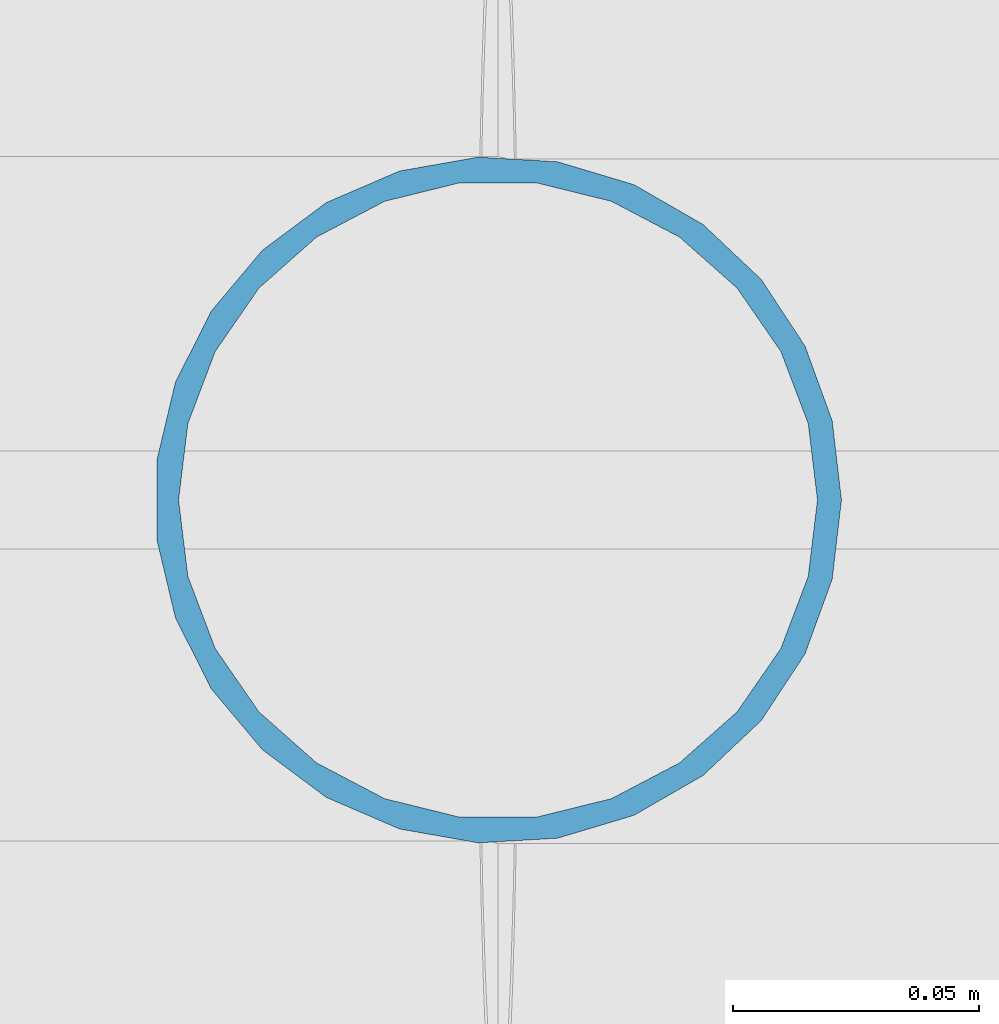
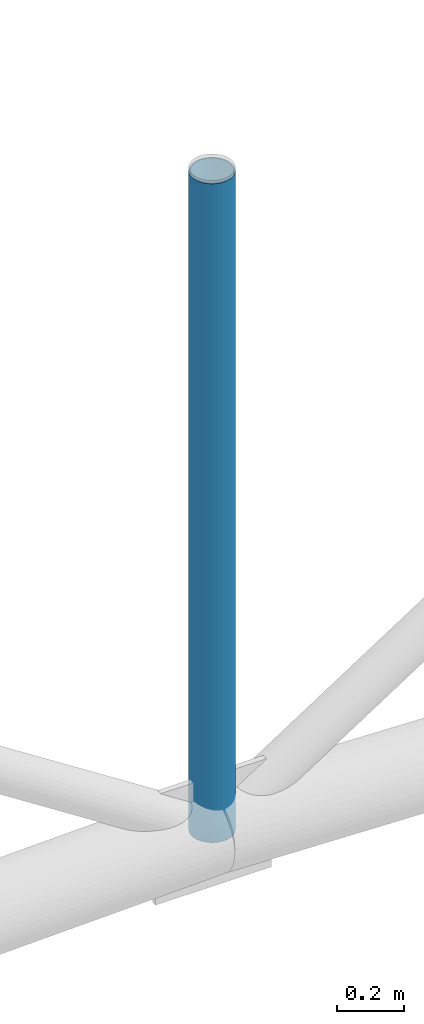
# One storey, part 125 of 321: 1 member.
"""IFC4 building model written with IfcOpenShell, lengths in metres."""

from ifc_helpers import new_model, si_unit, direction, frame, origin, origin_2d, place, context, subcontext, project, spatial, hollow_circle, extrude, material, material_profile, profile_set, type_object, element, save


model = new_model("IFC4")

# Units and contexts
model_context = context("Model", 3, precision=1e-05, world=origin(), true_north=direction((0.0, 1.0)))
body_context = subcontext(model_context, "Body", "Model", "MODEL_VIEW")
ifc_project = project(units=[si_unit("LENGTHUNIT", "METRE"), si_unit("AREAUNIT", "SQUARE_METRE"), si_unit("VOLUMEUNIT", "CUBIC_METRE"), si_unit("PLANEANGLEUNIT", "RADIAN"), si_unit("MASSUNIT", "GRAM", prefix="KILO")], contexts=[model_context])

# Site, building, storey
site_placement = place(None, origin())
site = spatial("IfcSite", under=ifc_project, at=site_placement, CompositionType="ELEMENT")
building_placement = place(site_placement, origin())
building = spatial("IfcBuilding", under=site, at=building_placement, Name="Ravi Spectrum Wholesale Market", CompositionType="ELEMENT")
storey_placement = place(building_placement, frame((0.0, 0.0, 10.800048828125)))
storey = spatial("IfcBuildingStorey", under=building, at=storey_placement, Name="L02", CompositionType="ELEMENT", Elevation=10.800048828125)

# Member
ifc_material = material(Name="Steel S355", Category="steel")
ifc_material_profile = material_profile(ifc_material, hollow_circle(Radius=0.06982421875, WallThickness=0.0048828125, at=origin_2d()))
ifc_profile_set = profile_set([ifc_material_profile], Name="Steel S355")
member_type = type_object("IfcMemberType", Name="CHS 139.7x5 post", PredefinedType="POST", material=ifc_profile_set)
member_placement = place(storey_placement, frame((174.0, 90.0, 5.39990234375), z_axis=(0.0, 0.0, -1.0), x_axis=(1.0, 0.0, 0.0)))
element("IfcMember", 1, at=member_placement, inside=storey, type_object=member_type, Name="H2-MB-L02-091", PredefinedType="POST", context=body_context, shape_type="SweptSolid", body=[
    extrude(hollow_circle(Radius=0.06982421875, WallThickness=0.0048828125, at=origin_2d()), origin(), (0.0, 0.0, 1.0), 2.39990234375),
])

save(model, "model.ifc")
